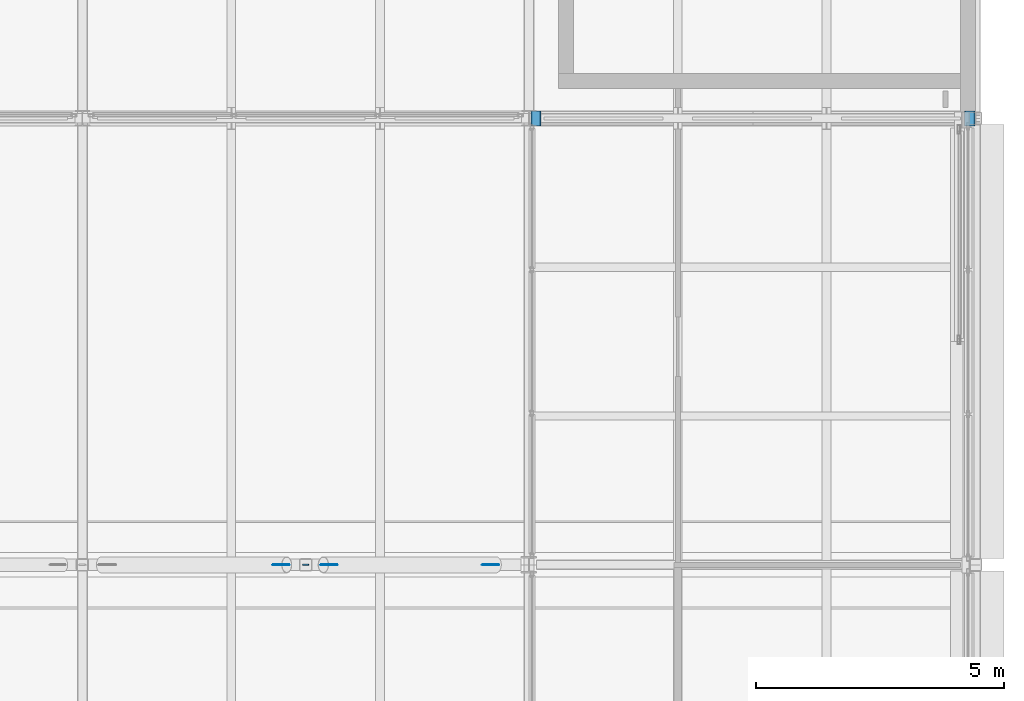
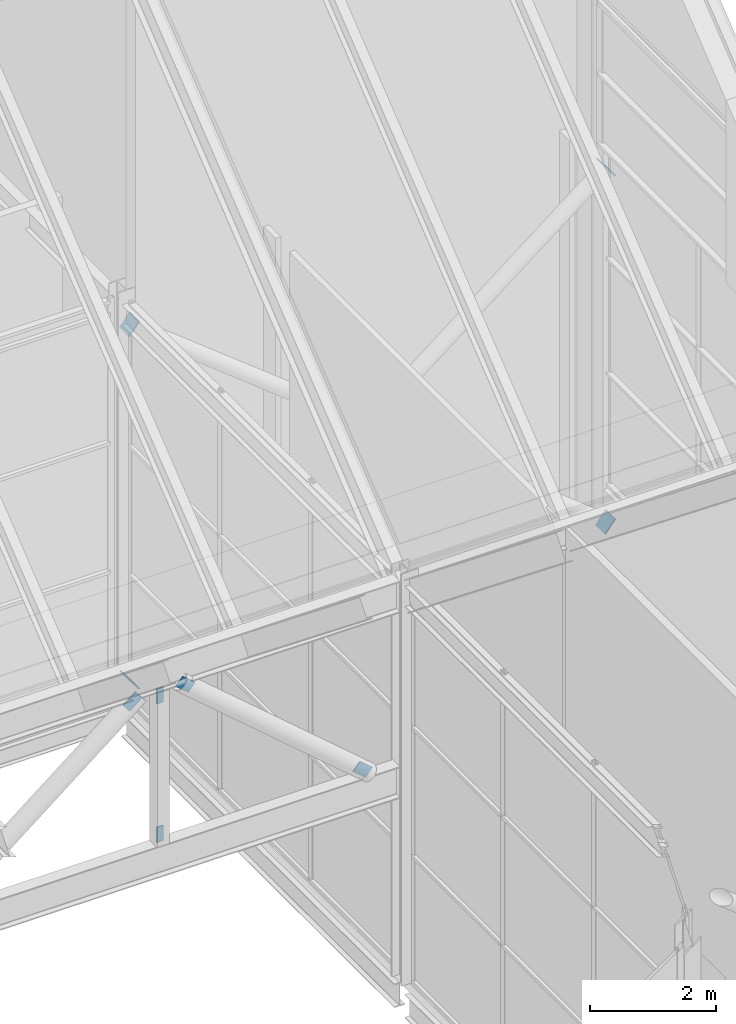
# One storey, part 138 of 144: 9 discrete accessories.
"""IFC4 building model written with IfcOpenShell, lengths in metres."""

from ifc_helpers import new_model, si_unit, direction, frame, origin, place, context, subcontext, project, spatial, polyline, outline, extrude, material, layer, layer_set, type_object, element, save


model = new_model("IFC4")

# Units and contexts
model_context = context("Model", 3, precision=1e-05, world=origin(), true_north=direction((0.0, 1.0)))
body_context = subcontext(model_context, "Body", "Model", "MODEL_VIEW")
ifc_project = project(units=[si_unit("LENGTHUNIT", "METRE"), si_unit("AREAUNIT", "SQUARE_METRE"), si_unit("VOLUMEUNIT", "CUBIC_METRE"), si_unit("PLANEANGLEUNIT", "RADIAN"), si_unit("MASSUNIT", "GRAM", prefix="KILO")], contexts=[model_context])

# Site, building, storey
site_placement = place(None, origin())
site = spatial("IfcSite", under=ifc_project, at=site_placement, CompositionType="ELEMENT")
building_placement = place(site_placement, origin())
building = spatial("IfcBuilding", under=site, at=building_placement, Name="Shorebreak Coast Museum", CompositionType="ELEMENT")
storey_placement = place(building_placement, frame((0.0, 0.0, 36.0)))
storey = spatial("IfcBuildingStorey", under=building, at=storey_placement, Name="L06", CompositionType="ELEMENT", Elevation=36.0)

# Discrete accessories
ifc_material_1 = material(Name="Steel Grade 300", Category="steel")
ifc_layer_1 = layer(ifc_material_1, 0.02490234375)
ifc_layer_set_1 = layer_set([ifc_layer_1], Name="Steel Grade 300")
discrete_accessory_type_1 = type_object("IfcDiscreteAccessoryType", Name="End plate 300 x 300 x 25", PredefinedType="BRACKET", material=ifc_layer_set_1)
for number, where, z_axis, x_axis, name in (
    (1, (108.246337890625, 80.85009765625, 0.18212890625), (0.785215906045, 0.0, 0.619222077202), (0.0, 1.0, 0.0), "End plate X-brace bay 04 L06 diagonal 1 end 1"),
    (2, (116.987548828125, 80.85009765625, 7.07861328125), (0.785215906045, 0.0, 0.619222077202), (0.0, 1.0, 0.0), "End plate X-brace bay 04 L06 diagonal 1 end 2"),
):
    element("IfcDiscreteAccessory", number, at=place(storey_placement, frame(where, z_axis=z_axis, x_axis=x_axis)), inside=storey, type_object=discrete_accessory_type_1, Name=name, PredefinedType="BRACKET", context=body_context, shape_type="SweptSolid", body=[
        extrude(outline(polyline([(0.0, 0.0), (0.2998046875, 0.0), (0.2998046875, 0.300039392110323), (0.0, 0.300039392110323), (0.0, 0.0)])), origin(), (0.0, 0.0, -1.0), 0.02490234375),
    ])
discrete_accessory_1_placement = place(storey_placement, frame((116.781982421875, 81.14990234375, 0.18212890625), z_axis=(-0.784820307898, 0.0, 0.619723393387), x_axis=(0.0, -1.0, 0.0)))
element("IfcDiscreteAccessory", 3, at=discrete_accessory_1_placement, inside=storey, type_object=discrete_accessory_type_1, Name="End plate X-brace bay 04 L06 diagonal 2 end 1", PredefinedType="BRACKET", context=body_context, shape_type="SweptSolid", body=[
    extrude(outline(polyline([(0.0, 0.0), (0.2998046875, 0.0), (0.2998046875, 0.3001906305865075), (0.0, 0.3001906305865075), (0.0, 0.0)])), origin(), (0.0, 0.0, -1.0), 0.02490234375),
])
discrete_accessory_2_placement = place(storey_placement, frame((108.041015625, 81.14990234375, 7.07861328125), z_axis=(-0.785215906045, 0.0, 0.619222077202), x_axis=(0.0, -1.0, 0.0)))
element("IfcDiscreteAccessory", 4, at=discrete_accessory_2_placement, inside=storey, type_object=discrete_accessory_type_1, Name="End plate X-brace bay 04 L06 diagonal 2 end 2", PredefinedType="BRACKET", context=body_context, shape_type="SweptSolid", body=[
    extrude(outline(polyline([(0.0, 0.0), (0.2998046875, 0.0), (0.2998046875, 0.300039392110323), (0.0, 0.300039392110323), (0.0, 0.0)])), origin(), (0.0, 0.0, -1.0), 0.02490234375),
])
ifc_material_2 = material(Name="Steel Grade 300", Category="steel")
ifc_layer_2 = layer(ifc_material_2, 0.02001953125)
ifc_layer_set_2 = layer_set([ifc_layer_2], Name="Steel Grade 300")
discrete_accessory_type_2 = type_object("IfcDiscreteAccessoryType", Name="Gusset plate 120 x 300 x 20", PredefinedType="BRACKET", material=ifc_layer_set_2)
for number, where, z_axis, x_axis, name in (
    (5, (103.43994140625, 71.989990234375, 4.235595703125), (0.0, -1.0, 0.0), (1.0, 0.0, 0.0), "Gusset plate Atrium roof truss TA3 strut V09 end 1"),
    (6, (103.43994140625, 71.989990234375, 6.923583984375), (0.0, -1.0, 0.0), (1.0, 0.0, 0.0), "Gusset plate Atrium roof truss TA3 strut V09 end 2"),
):
    element("IfcDiscreteAccessory", number, at=place(storey_placement, frame(where, z_axis=z_axis, x_axis=x_axis)), inside=storey, type_object=discrete_accessory_type_2, Name=name, PredefinedType="BRACKET", context=body_context, shape_type="SweptSolid", body=[
        extrude(outline(polyline([(0.0, 0.0), (0.1201171875, 0.0), (0.1201171875, 0.2998046875), (0.0, 0.2998046875), (0.0, 0.0)])), origin(), (0.0, 0.0, -1.0), 0.02001953125),
    ])
ifc_material_3 = material(Name="Steel Grade 300", Category="steel")
ifc_layer_3 = layer(ifc_material_3, 0.02001953125)
ifc_layer_set_3 = layer_set([ifc_layer_3], Name="Steel Grade 300")
discrete_accessory_type_3 = type_object("IfcDiscreteAccessoryType", Name="Gusset plate 200 x 300 x 20", PredefinedType="BRACKET", material=ifc_layer_set_3)
discrete_accessory_3_placement = place(storey_placement, frame((102.82080078125, 71.989990234375, 7.1142578125), z_axis=(0.0, -1.0, 0.0), x_axis=(0.624695047554, 0.0, -0.780868809443)))
element("IfcDiscreteAccessory", 7, at=discrete_accessory_3_placement, inside=storey, type_object=discrete_accessory_type_3, Name="Gusset plate Atrium roof truss TA3 diagonal D09 end 2", PredefinedType="BRACKET", context=body_context, shape_type="SweptSolid", body=[
    extrude(outline(polyline([(0.0, 0.0), (0.20009763241977652, 0.0), (0.19994511898043218, 0.29995580683048434), (3.812835983607599e-05, 0.29980329339114004), (0.0, 0.0)])), origin(), (0.0, 0.0, -1.0), 0.02001953125),
])
discrete_accessory_4_placement = place(storey_placement, frame((107.27294921875, 71.989990234375, 4.15966796875), z_axis=(0.0, -1.0, 0.0), x_axis=(0.6512943826, 0.0, 0.758825162467)))
element("IfcDiscreteAccessory", 8, at=discrete_accessory_4_placement, inside=storey, type_object=discrete_accessory_type_3, Name="Gusset plate Atrium roof truss TA3 diagonal D10 end 1", PredefinedType="BRACKET", context=body_context, shape_type="SweptSolid", body=[
    extrude(outline(polyline([(0.0, 0.0), (0.19979744429151833, 0.0), (0.1999958306568504, 0.3000273075884333), (-0.00014588110172542024, 0.30005356022023666), (0.0, 0.0)])), origin(), (0.0, 0.0, -1.0), 0.02001953125),
])
discrete_accessory_5_placement = place(storey_placement, frame((104.01904296875, 71.989990234375, 6.9521484375), z_axis=(0.0, -1.0, 0.0), x_axis=(0.651393912258, 0.0, 0.758739725514)))
element("IfcDiscreteAccessory", 9, at=discrete_accessory_5_placement, inside=storey, type_object=discrete_accessory_type_3, Name="Gusset plate Atrium roof truss TA3 diagonal D10 end 2", PredefinedType="BRACKET", context=body_context, shape_type="SweptSolid", body=[
    extrude(outline(polyline([(0.0, 0.0), (0.2001417134803575, 0.0), (0.19995647428955815, 0.3000535385036764), (0.00015903171685988093, 0.30002733102973694), (0.0, 0.0)])), origin(), (0.0, 0.0, -1.0), 0.02001953125),
])

save(model, "model.ifc")
